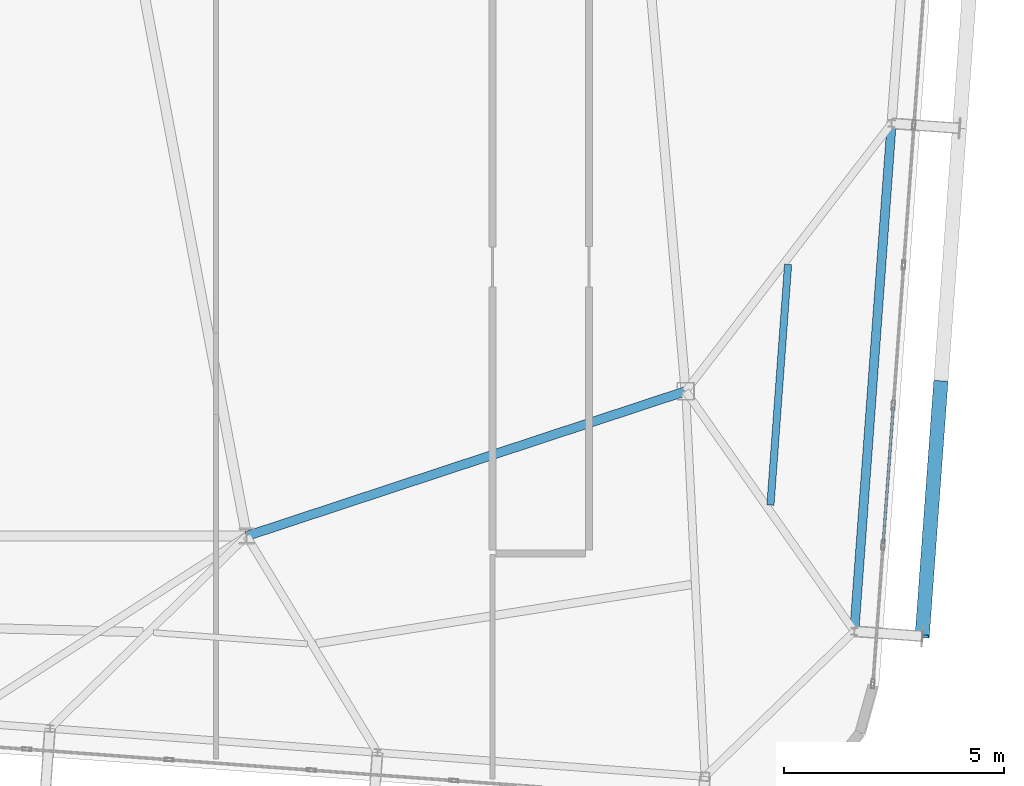
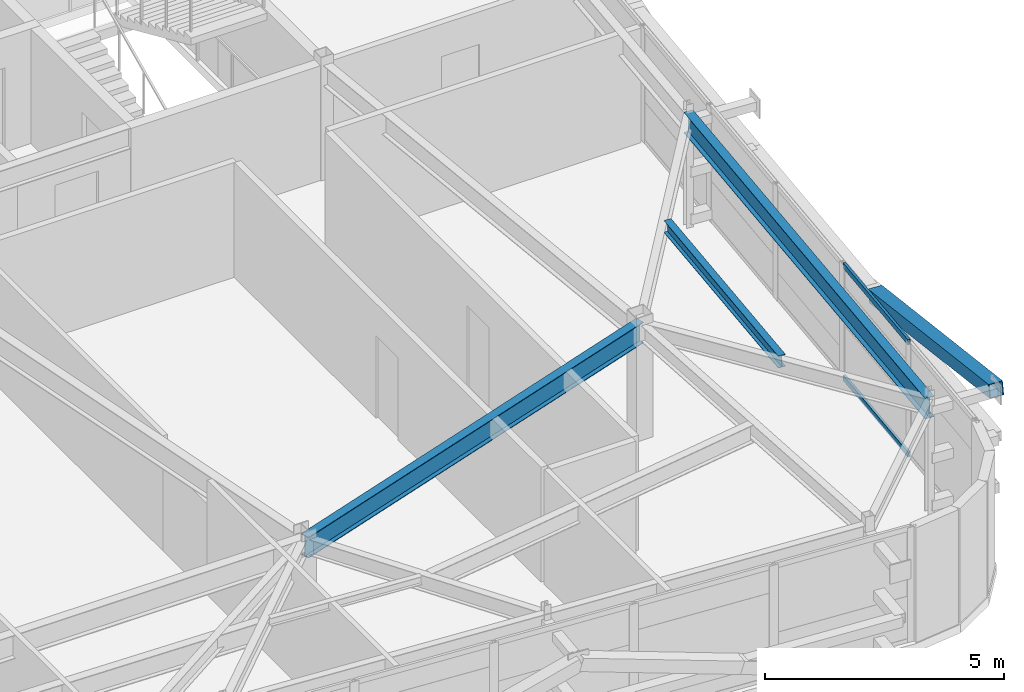
# One storey, part 20 of 42: 3 beams, 3 members, 1 element without a shape of its own.
"""IFC4 building model written with IfcOpenShell, lengths in metres."""

from ifc_helpers import new_model, si_unit, direction, frame, origin, origin_2d, place, context, subcontext, project, spatial, hollow_rectangle, i_section, extrude, source, transform, mapped, material, layer, layer_set, material_profile, profile_set, type_object, element, aggregate, save


model = new_model("IFC4")

# Units and contexts
model_context = context("Model", 3, precision=1e-05, world=origin(), true_north=direction((0.0, 1.0)))
body_context = subcontext(model_context, "Body", "Model", "MODEL_VIEW")
ifc_project = project(units=[si_unit("LENGTHUNIT", "METRE"), si_unit("AREAUNIT", "SQUARE_METRE"), si_unit("VOLUMEUNIT", "CUBIC_METRE"), si_unit("PLANEANGLEUNIT", "RADIAN"), si_unit("MASSUNIT", "GRAM", prefix="KILO")], contexts=[model_context])

# Site, building, storey
site_placement = place(None, origin())
site = spatial("IfcSite", under=ifc_project, at=site_placement, CompositionType="ELEMENT")
building_placement = place(site_placement, origin())
building = spatial("IfcBuilding", under=site, at=building_placement, Name="Taldren Reach Tower", CompositionType="ELEMENT")
storey_placement = place(building_placement, frame((0.0, 0.0, 220.85009765625)))
storey = spatial("IfcBuildingStorey", under=building, at=storey_placement, Name="L67", CompositionType="ELEMENT", Elevation=220.85009765625)

# Beams
ifc_material_1 = material(Name="Steel Gr 350 (350PLUS)", Category="steel")
ifc_material_profile_1 = material_profile(ifc_material_1, i_section(OverallWidth=0.208984375, OverallDepth=0.532958984375, WebThickness=0.01025390625, FlangeThickness=0.015625, at=origin_2d()), Name="530UB92.4")
ifc_profile_set_1 = profile_set([ifc_material_profile_1], Name="Steel Gr 350 (350PLUS)")
beam_type_1 = type_object("IfcBeamType", Name="BM-UB530A", PredefinedType="BEAM", material=ifc_profile_set_1)
shared_shape_1 = source(origin(), body_context, "Body", "SweptSolid", [
    extrude(i_section(OverallWidth=0.208984375, OverallDepth=0.532958984375, WebThickness=0.01025390625, FlangeThickness=0.015625, at=origin_2d()), origin(), (0.0, 0.0, 1.0), 10.530517578125),
])
beam_1_placement = place(storey_placement, frame((42.0, 9.199951171875, 2.663330078125), z_axis=(0.949627269203, 0.313381635689, 0.0), x_axis=(-0.313381635689, 0.949627269203, 0.0)))
element("IfcBeam", 1, at=beam_1_placement, inside=storey, type_object=beam_type_1, Name="Core-spine girder L67-SP12", PredefinedType="BEAM", context=body_context, shape_type="MappedRepresentation", body=[
    mapped(shared_shape_1, transform((0.0, 0.0, 0.0), scale=1.0)),
])
ifc_material_profile_2 = material_profile(ifc_material_1, i_section(OverallWidth=0.208984375, OverallDepth=0.528076171875, WebThickness=0.009521484375, FlangeThickness=0.01318359375, at=origin_2d()), Name="530UB82.0")
ifc_profile_set_2 = profile_set([ifc_material_profile_2], Name="Steel Gr 350 (350PLUS)")
beam_type_2 = type_object("IfcBeamType", Name="SP-UB530B", PredefinedType="SPANDREL", material=ifc_profile_set_2)
shared_shape_2 = source(origin(), body_context, "Body", "SweptSolid", [
    extrude(i_section(OverallWidth=0.208984375, OverallDepth=0.528076171875, WebThickness=0.009521484375, FlangeThickness=0.01318359375, at=origin_2d()), origin(), (0.0, 0.0, 1.0), 11.60009765625),
])
beam_2_placement = place(storey_placement, frame((55.841796875, 7.031005859375, 2.666015625), z_axis=(0.073242167855, 0.997314185625, 0.0), x_axis=(-0.997314185625, 0.073242167855, 0.0)))
element("IfcBeam", 2, at=beam_2_placement, inside=storey, type_object=beam_type_2, Name="Perimeter spandrel B5 E1-E2 L67", PredefinedType="SPANDREL", context=body_context, shape_type="MappedRepresentation", body=[
    mapped(shared_shape_2, transform((0.0, 0.0, 0.0), scale=1.0)),
])
ifc_material_2 = material(Name="Steel Gr 300 (300PLUS, 300 MPa)", Category="steel")
ifc_material_profile_3 = material_profile(ifc_material_2, i_section(OverallWidth=0.166015625, OverallDepth=0.306884765625, WebThickness=0.006591796875, FlangeThickness=0.01171875, at=origin_2d()), Name="310UB46.2")
ifc_profile_set_3 = profile_set([ifc_material_profile_3], Name="Steel Gr 300 (300PLUS, 300 MPa)")
beam_type_3 = type_object("IfcBeamType", Name="JS-UB310", PredefinedType="JOIST", material=ifc_profile_set_3)
shared_shape_3 = source(origin(), body_context, "Body", "SweptSolid", [
    extrude(i_section(OverallWidth=0.166015625, OverallDepth=0.306884765625, WebThickness=0.006591796875, FlangeThickness=0.01171875, at=origin_2d()), origin(), (0.0, 0.0, 1.0), 5.49755859375),
])
beam_3_placement = place(storey_placement, frame((53.93115234375, 9.905517578125, 2.7763671875), z_axis=(0.073228814191, 0.99731516622, 0.0), x_axis=(-0.99731516622, 0.073228814191, 0.0)))
element("IfcBeam", 3, at=beam_3_placement, inside=storey, type_object=beam_type_3, Name="Secondary floor joist B5 J7 L67", PredefinedType="JOIST", context=body_context, shape_type="MappedRepresentation", body=[
    mapped(shared_shape_3, transform((0.0, 0.0, 0.0), scale=1.0)),
])

# Member
ifc_material_3 = material(Name="Steel Gr 450 (C450L0)", Category="steel")
ifc_material_profile_4 = material_profile(ifc_material_3, hollow_rectangle(XDim=0.324951171875, YDim=0.324951171875, WallThickness=0.0126953125, at=origin_2d()), Name="325x325x12.7SHS")
ifc_profile_set_4 = profile_set([ifc_material_profile_4], Name="Steel Gr 450 (C450L0)")
member_type_1 = type_object("IfcMemberType", Name="MB-BR324", PredefinedType="BRACE", material=ifc_profile_set_4)
shared_shape_4 = source(origin(), body_context, "Body", "SweptSolid", [
    extrude(hollow_rectangle(XDim=0.324951171875, YDim=0.324951171875, WallThickness=0.0126953125, at=origin_2d()), origin(), (0.0, 0.0, 1.0), 5.92578125),
])
member_1_placement = place(storey_placement, frame((57.812255859375, 12.701904296875, 1.434814453125), z_axis=(-0.071644948114, -0.976126368983, 0.205047099921), x_axis=(0.997317259472, -0.073200300267, 0.0)))
element("IfcMember", 4, at=member_1_placement, inside=storey, type_object=member_type_1, Name="Exoskeleton Diagrid Brace B5-E1 L67", PredefinedType="BRACE", context=body_context, shape_type="MappedRepresentation", body=[
    mapped(shared_shape_4, transform((0.0, 0.0, 0.0), scale=1.0)),
])

# Curtain wall, members
ifc_material_4 = material(Name="Aluminium and Low-E Glass Unitised System", Category="aluminium")
ifc_layer = layer(ifc_material_4, 0.159912109375)
ifc_layer_set = layer_set([ifc_layer], Name="Aluminium and Low-E Glass Unitised System")
curtain_wall_type = type_object("IfcCurtainWallType", Name="CW-SYS-6", PredefinedType="NOTDEFINED", material=ifc_layer_set)
curtain_wall_placement = place(storey_placement, origin())
curtain_wall = element("IfcCurtainWall", 5, at=curtain_wall_placement, inside=storey, type_object=curtain_wall_type, Name="Unitised curtain wall CW-L67-E", PredefinedType="NOTDEFINED")
ifc_material_5 = material(Name="Anodised Aluminium 6063-T6", Category="aluminium")
ifc_material_profile_5 = material_profile(ifc_material_5, hollow_rectangle(XDim=0.06005859375, YDim=0.135009765625, WallThickness=0.00341796875, at=origin_2d()), Name="ALU-135x60x3.5RHS")
ifc_profile_set_5 = profile_set([ifc_material_profile_5], Name="Anodised Aluminium 6063-T6")
member_type_2 = type_object("IfcMemberType", Name="CW-TRN-150", PredefinedType="USERDEFINED", material=ifc_profile_set_5)
shared_shape_5 = source(origin(), body_context, "Body", "SweptSolid", [
    extrude(hollow_rectangle(XDim=0.06005859375, YDim=0.135009765625, WallThickness=0.00341796875, at=origin_2d()), origin(), (0.0, 0.0, 1.0), 3.124755859375),
])
member_2_placement = place(storey_placement, frame((56.49951171875, 9.025634765625, 0.02978515625), z_axis=(0.073284589347, 0.997311069308, 0.0), x_axis=(-0.997311069308, 0.073284589347, 0.0)))
member_2 = element("IfcMember", 6, at=member_2_placement, type_object=member_type_2, Name="CW-6 transom 2.1", ObjectType="TRANSOM", PredefinedType="USERDEFINED", context=body_context, shape_type="MappedRepresentation", body=[
    mapped(shared_shape_5, transform((0.0, 0.0, 0.0), scale=1.0)),
])
member_3_placement = place(storey_placement, frame((56.49951171875, 9.025634765625, 2.89990234375), z_axis=(0.073284589347, 0.997311069308, 0.0), x_axis=(-0.997311069308, 0.073284589347, 0.0)))
member_3 = element("IfcMember", 7, at=member_3_placement, type_object=member_type_2, Name="CW-6 transom 2.2", ObjectType="TRANSOM", PredefinedType="USERDEFINED", context=body_context, shape_type="MappedRepresentation", body=[
    mapped(shared_shape_5, transform((0.0, 0.0, 0.0), scale=1.0)),
])
aggregate(curtain_wall, [member_2, member_3])

save(model, "model.ifc")
